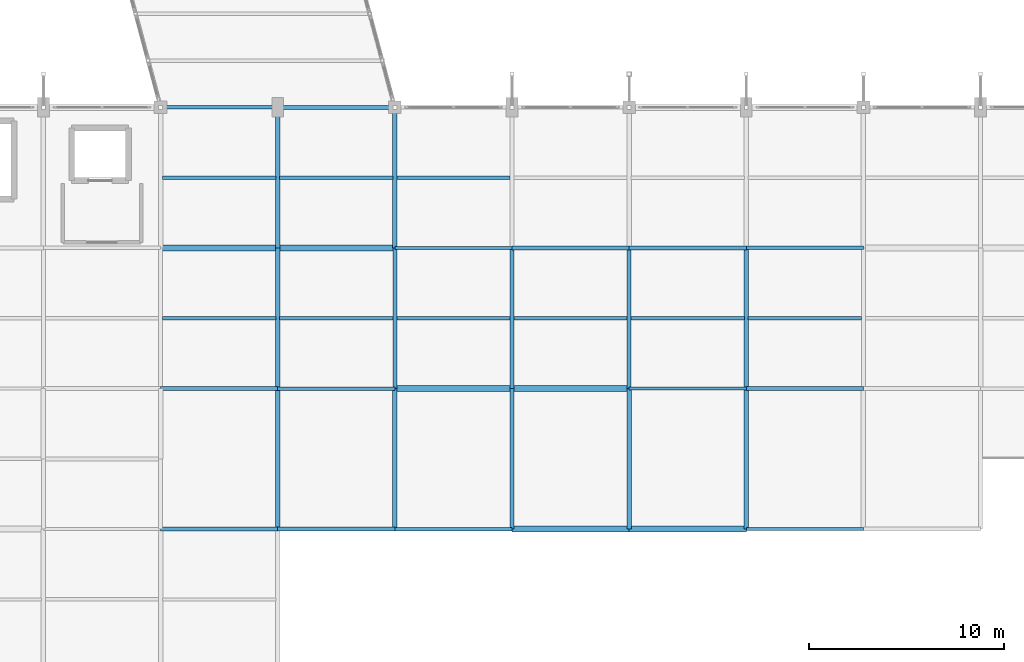
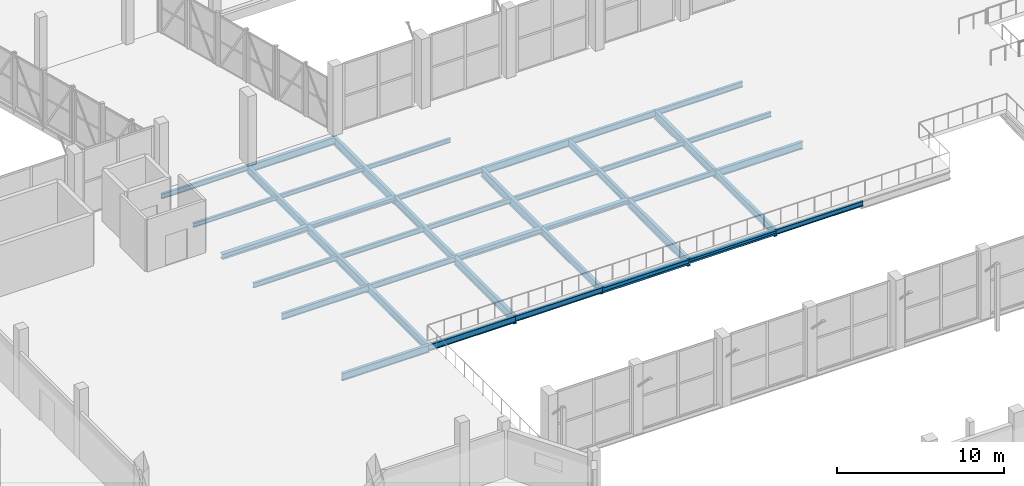
# One storey, part 43 of 127: 41 beams.
"""IFC4 building model written with IfcOpenShell, lengths in metres."""

from ifc_helpers import new_model, si_unit, direction, frame, origin, origin_2d, place, context, subcontext, project, spatial, i_section, extrude, material, material_profile, profile_set, type_object, element, save


model = new_model("IFC4")

# Units and contexts
model_context = context("Model", 3, precision=1e-05, world=origin(), true_north=direction((0.0, 1.0)))
body_context = subcontext(model_context, "Body", "Model", "MODEL_VIEW")
ifc_project = project(units=[si_unit("LENGTHUNIT", "METRE"), si_unit("AREAUNIT", "SQUARE_METRE"), si_unit("VOLUMEUNIT", "CUBIC_METRE"), si_unit("PLANEANGLEUNIT", "RADIAN"), si_unit("MASSUNIT", "GRAM", prefix="KILO")], contexts=[model_context])

# Site, building, storey
site_placement = place(None, origin())
site = spatial("IfcSite", under=ifc_project, at=site_placement, CompositionType="ELEMENT")
building_placement = place(site_placement, origin())
building = spatial("IfcBuilding", under=site, at=building_placement, Name="Dunvalen Ferry Terminal", CompositionType="ELEMENT")
storey_placement = place(building_placement, frame((0.0, 0.0, 5.760009765625)))
storey = spatial("IfcBuildingStorey", under=building, at=storey_placement, Name="L01", CompositionType="ELEMENT", Elevation=5.760009765625)

# Beams
ifc_material = material(Name="Steel S355", Category="steel")
ifc_material_profile_1 = material_profile(ifc_material, i_section(OverallWidth=0.300048828125, OverallDepth=0.31005859375, WebThickness=0.009033203125, FlangeThickness=0.015380859375, FilletRadius=0.027099609375, at=origin_2d()), Name="Steel S355")
ifc_profile_set_1 = profile_set([ifc_material_profile_1], Name="Steel S355")
beam_type_1 = type_object("IfcBeamType", Name="STR-BM-HEA320", PredefinedType="SPANDREL", material=ifc_profile_set_1)
for number, where, z_axis, x_axis, name in (
    (1, (54.0, 64.800048828125, -0.43505859375), (1.0, 0.0, 0.0), (0.0, 1.0, 0.0), "L01 V1M Primary Beam X-022"),
    (2, (48.0, 72.0, -0.43505859375), (1.0, 0.0, 0.0), (0.0, 1.0, 0.0), "L01 V1M Primary Beam X-040"),
    (3, (36.0, 79.199951171875, -0.43505859375), (1.0, 0.0, 0.0), (0.0, 1.0, 0.0), "L01 V1M Primary Beam X-052"),
):
    element("IfcBeam", number, at=place(storey_placement, frame(where, z_axis=z_axis, x_axis=x_axis)), inside=storey, type_object=beam_type_1, Name=name, PredefinedType="SPANDREL", context=body_context, shape_type="SweptSolid", body=[
        extrude(i_section(OverallWidth=0.300048828125, OverallDepth=0.31005859375, WebThickness=0.009033203125, FlangeThickness=0.015380859375, FilletRadius=0.027099609375, at=origin_2d()), origin(), (0.0, 0.0, 1.0), 6.0),
    ])
ifc_material_profile_2 = material_profile(ifc_material, i_section(OverallWidth=0.300048828125, OverallDepth=0.389892578125, WebThickness=0.010986328125, FlangeThickness=0.01904296875, FilletRadius=0.027099609375, at=origin_2d()), Name="Steel S355")
ifc_profile_set_2 = profile_set([ifc_material_profile_2], Name="Steel S355")
beam_type_2 = type_object("IfcBeamType", Name="STR-BM-HEA400", PredefinedType="BEAM", material=ifc_profile_set_2)
for number, where, z_axis, x_axis, name in (
    (4, (48.0, 64.800048828125, -0.47509765625), (1.0, 0.0, 0.0), (0.0, 1.0, 0.0), "L01 V1M Primary Beam X-021"),
    (5, (42.0, 72.0, -0.47509765625), (1.0, 0.0, 0.0), (0.0, 1.0, 0.0), "L01 V1M Primary Beam X-039"),
    (6, (30.0, 79.199951171875, -0.47509765625), (1.0, 0.0, 0.0), (0.0, 1.0, 0.0), "L01 V1M Primary Beam X-051"),
):
    element("IfcBeam", number, at=place(storey_placement, frame(where, z_axis=z_axis, x_axis=x_axis)), inside=storey, type_object=beam_type_2, Name=name, PredefinedType="BEAM", context=body_context, shape_type="SweptSolid", body=[
        extrude(i_section(OverallWidth=0.300048828125, OverallDepth=0.389892578125, WebThickness=0.010986328125, FlangeThickness=0.01904296875, FilletRadius=0.027099609375, at=origin_2d()), origin(), (0.0, 0.0, 1.0), 6.0),
    ])
ifc_material_profile_3 = material_profile(ifc_material, i_section(OverallWidth=0.169921875, OverallDepth=0.360107421875, WebThickness=0.008056640625, FlangeThickness=0.0126953125, FilletRadius=0.01806640625, at=origin_2d()), Name="Steel S355")
ifc_profile_set_3 = profile_set([ifc_material_profile_3], Name="Steel S355")
beam_type_3 = type_object("IfcBeamType", Name="STR-BM-IPE360", PredefinedType="BEAM", material=ifc_profile_set_3)
for number, where, z_axis, x_axis, name in (
    (7, (60.0, 64.800048828125, -0.4599609375), (1.0, 0.0, 0.0), (0.0, 1.0, 0.0), "L01 V1M Primary Beam X-023"),
    (8, (54.0, 72.0, -0.4599609375), (1.0, 0.0, 0.0), (0.0, 1.0, 0.0), "L01 V1M Primary Beam X-041"),
    (9, (42.0, 79.199951171875, -0.4599609375), (1.0, 0.0, 0.0), (0.0, 1.0, 0.0), "L01 V1M Primary Beam X-053"),
    (10, (30.0, 86.39990234375, -0.4599609375), (1.0, 0.0, 0.0), (0.0, 1.0, 0.0), "L01 V1M Primary Beam X-065"),
):
    element("IfcBeam", number, at=place(storey_placement, frame(where, z_axis=z_axis, x_axis=x_axis)), inside=storey, type_object=beam_type_3, Name=name, PredefinedType="BEAM", context=body_context, shape_type="SweptSolid", body=[
        extrude(i_section(OverallWidth=0.169921875, OverallDepth=0.360107421875, WebThickness=0.008056640625, FlangeThickness=0.0126953125, FilletRadius=0.01806640625, at=origin_2d()), origin(), (0.0, 0.0, 1.0), 6.0),
    ])
ifc_material_profile_4 = material_profile(ifc_material, i_section(OverallWidth=0.1650390625, OverallDepth=0.303466796875, WebThickness=0.006103515625, FlangeThickness=0.01025390625, FilletRadius=0.0087890625, at=origin_2d()), Name="Steel S355")
ifc_profile_set_4 = profile_set([ifc_material_profile_4], Name="Steel S355")
beam_type_4 = type_object("IfcBeamType", Name="STR-BM-UKB305", PredefinedType="JOIST", material=ifc_profile_set_4)
for number, where, z_axis, x_axis, name in (
    (11, (30.10009765625, 82.800048828125, -0.431640625), (1.0, 0.0, 0.0), (0.0, 1.0, 0.0), "L01 V1M Secondary Joist 013"),
    (12, (36.10009765625, 82.800048828125, -0.431640625), (1.0, 0.0, 0.0), (0.0, 1.0, 0.0), "L01 V1M Secondary Joist 015"),
    (13, (42.10009765625, 82.800048828125, -0.431640625), (1.0, 0.0, 0.0), (0.0, 1.0, 0.0), "L01 V1M Secondary Joist 017"),
):
    element("IfcBeam", number, at=place(storey_placement, frame(where, z_axis=z_axis, x_axis=x_axis)), inside=storey, type_object=beam_type_4, Name=name, PredefinedType="JOIST", context=body_context, shape_type="SweptSolid", body=[
        extrude(i_section(OverallWidth=0.1650390625, OverallDepth=0.303466796875, WebThickness=0.006103515625, FlangeThickness=0.01025390625, FilletRadius=0.0087890625, at=origin_2d()), origin(), (0.0, 0.0, 1.0), 5.7998046875),
    ])
ifc_material_profile_5 = material_profile(ifc_material, i_section(OverallWidth=0.17138671875, OverallDepth=0.35498046875, WebThickness=0.00732421875, FlangeThickness=0.011474609375, FilletRadius=0.01025390625, at=origin_2d()), Name="Steel S355")
ifc_profile_set_5 = profile_set([ifc_material_profile_5], Name="Steel S355")
beam_type_5 = type_object("IfcBeamType", Name="STR-BM-UKB356", PredefinedType="JOIST", material=ifc_profile_set_5)
for number, where, z_axis, x_axis, name in (
    (14, (30.10009765625, 75.60009765625, -0.45751953125), (1.0, 0.0, 0.0), (0.0, 1.0, 0.0), "L01 V1M Secondary Joist 012"),
    (15, (36.10009765625, 75.60009765625, -0.45751953125), (1.0, 0.0, 0.0), (0.0, 1.0, 0.0), "L01 V1M Secondary Joist 014"),
    (16, (42.10009765625, 75.60009765625, -0.45751953125), (1.0, 0.0, 0.0), (0.0, 1.0, 0.0), "L01 V1M Secondary Joist 016"),
    (17, (48.10009765625, 75.60009765625, -0.45751953125), (1.0, 0.0, 0.0), (0.0, 1.0, 0.0), "L01 V1M Secondary Joist 018"),
    (18, (54.10009765625, 75.60009765625, -0.45751953125), (1.0, 0.0, 0.0), (0.0, 1.0, 0.0), "L01 V1M Secondary Joist 020"),
    (19, (60.10009765625, 75.60009765625, -0.45751953125), (1.0, 0.0, 0.0), (0.0, 1.0, 0.0), "L01 V1M Secondary Joist 022"),
):
    element("IfcBeam", number, at=place(storey_placement, frame(where, z_axis=z_axis, x_axis=x_axis)), inside=storey, type_object=beam_type_5, Name=name, PredefinedType="JOIST", context=body_context, shape_type="SweptSolid", body=[
        extrude(i_section(OverallWidth=0.17138671875, OverallDepth=0.35498046875, WebThickness=0.00732421875, FlangeThickness=0.011474609375, FilletRadius=0.01025390625, at=origin_2d()), origin(), (0.0, 0.0, 1.0), 5.7998046875),
    ])
ifc_material_profile_6 = material_profile(ifc_material, i_section(OverallWidth=0.177978515625, OverallDepth=0.406494140625, WebThickness=0.0078125, FlangeThickness=0.0126953125, FilletRadius=0.01025390625, at=origin_2d()), Name="Steel S355")
ifc_profile_set_6 = profile_set([ifc_material_profile_6], Name="Steel S355")
beam_type_6 = type_object("IfcBeamType", Name="STR-BM-UKB406", PredefinedType="JOIST", material=ifc_profile_set_6)
for number, where, z_axis, x_axis, name in (
    (20, (42.0, 64.800048828125, -0.483154296875), (1.0, 0.0, 0.0), (0.0, 1.0, 0.0), "L01 V1M Primary Beam X-020"),
    (21, (36.0, 72.0, -0.483154296875), (1.0, 0.0, 0.0), (0.0, 1.0, 0.0), "L01 V1M Primary Beam X-038"),
    (22, (60.0, 79.199951171875, -0.483154296875), (1.0, 0.0, 0.0), (0.0, 1.0, 0.0), "L01 V1M Primary Beam X-056"),
):
    element("IfcBeam", number, at=place(storey_placement, frame(where, z_axis=z_axis, x_axis=x_axis)), inside=storey, type_object=beam_type_6, Name=name, PredefinedType="JOIST", context=body_context, shape_type="SweptSolid", body=[
        extrude(i_section(OverallWidth=0.177978515625, OverallDepth=0.406494140625, WebThickness=0.0078125, FlangeThickness=0.0126953125, FilletRadius=0.01025390625, at=origin_2d()), origin(), (0.0, 0.0, 1.0), 6.0),
    ])
ifc_material_profile_7 = material_profile(ifc_material, i_section(OverallWidth=0.1904296875, OverallDepth=0.45703125, WebThickness=0.009033203125, FlangeThickness=0.014404296875, FilletRadius=0.01025390625, at=origin_2d()), Name="Steel S355")
ifc_profile_set_7 = profile_set([ifc_material_profile_7], Name="Steel S355")
beam_type_7 = type_object("IfcBeamType", Name="STR-BM-UKB457", PredefinedType="BEAM", material=ifc_profile_set_7)
for number, where, z_axis, x_axis, name in (
    (23, (36.0, 64.800048828125, -0.508544921875), (1.0, 0.0, 0.0), (0.0, 1.0, 0.0), "L01 V1M Primary Beam X-019"),
    (24, (30.0, 72.0, -0.508544921875), (1.0, 0.0, 0.0), (0.0, 1.0, 0.0), "L01 V1M Primary Beam X-037"),
    (25, (54.0, 79.199951171875, -0.508544921875), (1.0, 0.0, 0.0), (0.0, 1.0, 0.0), "L01 V1M Primary Beam X-055"),
):
    element("IfcBeam", number, at=place(storey_placement, frame(where, z_axis=z_axis, x_axis=x_axis)), inside=storey, type_object=beam_type_7, Name=name, PredefinedType="BEAM", context=body_context, shape_type="SweptSolid", body=[
        extrude(i_section(OverallWidth=0.1904296875, OverallDepth=0.45703125, WebThickness=0.009033203125, FlangeThickness=0.014404296875, FilletRadius=0.01025390625, at=origin_2d()), origin(), (0.0, 0.0, 1.0), 6.0),
    ])
ifc_material_profile_8 = material_profile(ifc_material, i_section(OverallWidth=0.209228515625, OverallDepth=0.533203125, WebThickness=0.010009765625, FlangeThickness=0.015625, FilletRadius=0.0126953125, at=origin_2d()), Name="Steel S355")
ifc_profile_set_8 = profile_set([ifc_material_profile_8], Name="Steel S355")
beam_type_8 = type_object("IfcBeamType", Name="STR-BM-UKB533", PredefinedType="BEAM", material=ifc_profile_set_8)
for number, where, z_axis, x_axis, name in (
    (26, (30.0, 64.800048828125, -0.546630859375), (1.0, 0.0, 0.0), (0.0, 1.0, 0.0), "L01 V1M Primary Beam X-018"),
    (27, (60.0, 72.0, -0.546630859375), (1.0, 0.0, 0.0), (0.0, 1.0, 0.0), "L01 V1M Primary Beam X-042"),
    (28, (48.0, 79.199951171875, -0.546630859375), (1.0, 0.0, 0.0), (0.0, 1.0, 0.0), "L01 V1M Primary Beam X-054"),
    (29, (36.0, 86.39990234375, -0.546630859375), (1.0, 0.0, 0.0), (0.0, 1.0, 0.0), "L01 V1M Primary Beam X-066"),
):
    element("IfcBeam", number, at=place(storey_placement, frame(where, z_axis=z_axis, x_axis=x_axis)), inside=storey, type_object=beam_type_8, Name=name, PredefinedType="BEAM", context=body_context, shape_type="SweptSolid", body=[
        extrude(i_section(OverallWidth=0.209228515625, OverallDepth=0.533203125, WebThickness=0.010009765625, FlangeThickness=0.015625, FilletRadius=0.0126953125, at=origin_2d()), origin(), (0.0, 0.0, 1.0), 6.0),
    ])
for number, where, z_axis, x_axis, name in (
    (30, (36.0, 64.800048828125, -0.546630859375), (0.0, 1.0, 0.0), (-1.0, 0.0, 0.0), "L01 V1M Primary Girder Y-101"),
    (31, (36.0, 79.199951171875, -0.546630859375), (0.0, 1.0, 0.0), (-1.0, 0.0, 0.0), "L01 V1M Primary Girder Y-103"),
    (32, (42.0, 72.0, -0.546630859375), (0.0, 1.0, 0.0), (-1.0, 0.0, 0.0), "L01 V1M Primary Girder Y-105"),
    (33, (48.0, 64.800048828125, -0.546630859375), (0.0, 1.0, 0.0), (-1.0, 0.0, 0.0), "L01 V1M Primary Girder Y-107"),
    (34, (54.0, 72.0, -0.546630859375), (0.0, 1.0, 0.0), (-1.0, 0.0, 0.0), "L01 V1M Primary Girder Y-111"),
    (35, (60.0, 64.800048828125, -0.546630859375), (0.0, 1.0, 0.0), (-1.0, 0.0, 0.0), "L01 V1M Primary Girder Y-113"),
):
    element("IfcBeam", number, at=place(storey_placement, frame(where, z_axis=z_axis, x_axis=x_axis)), inside=storey, type_object=beam_type_8, Name=name, PredefinedType="BEAM", context=body_context, shape_type="SweptSolid", body=[
        extrude(i_section(OverallWidth=0.209228515625, OverallDepth=0.533203125, WebThickness=0.010009765625, FlangeThickness=0.015625, FilletRadius=0.0126953125, at=origin_2d()), origin(), (0.0, 0.0, 1.0), 7.199951171875),
    ])
ifc_material_profile_9 = material_profile(ifc_material, i_section(OverallWidth=0.228271484375, OverallDepth=0.607666015625, WebThickness=0.010986328125, FlangeThickness=0.017333984375, FilletRadius=0.0126953125, at=origin_2d()), Name="Steel S355")
ifc_profile_set_9 = profile_set([ifc_material_profile_9], Name="Steel S355")
beam_type_9 = type_object("IfcBeamType", Name="STR-BM-UKB610", PredefinedType="BEAM", material=ifc_profile_set_9)
for number, where, z_axis, x_axis, name in (
    (36, (36.0, 72.0, -0.583740234375), (0.0, 1.0, 0.0), (-1.0, 0.0, 0.0), "L01 V1M Primary Girder Y-102"),
    (37, (42.0, 64.800048828125, -0.583740234375), (0.0, 1.0, 0.0), (-1.0, 0.0, 0.0), "L01 V1M Primary Girder Y-104"),
    (38, (42.0, 79.199951171875, -0.583740234375), (0.0, 1.0, 0.0), (-1.0, 0.0, 0.0), "L01 V1M Primary Girder Y-106"),
    (39, (48.0, 72.0, -0.583740234375), (0.0, 1.0, 0.0), (-1.0, 0.0, 0.0), "L01 V1M Primary Girder Y-108"),
    (40, (54.0, 64.800048828125, -0.583740234375), (0.0, 1.0, 0.0), (-1.0, 0.0, 0.0), "L01 V1M Primary Girder Y-110"),
    (41, (60.0, 72.0, -0.583740234375), (0.0, 1.0, 0.0), (-1.0, 0.0, 0.0), "L01 V1M Primary Girder Y-114"),
):
    element("IfcBeam", number, at=place(storey_placement, frame(where, z_axis=z_axis, x_axis=x_axis)), inside=storey, type_object=beam_type_9, Name=name, PredefinedType="BEAM", context=body_context, shape_type="SweptSolid", body=[
        extrude(i_section(OverallWidth=0.228271484375, OverallDepth=0.607666015625, WebThickness=0.010986328125, FlangeThickness=0.017333984375, FilletRadius=0.0126953125, at=origin_2d()), origin(), (0.0, 0.0, 1.0), 7.199951171875),
    ])

save(model, "model.ifc")
